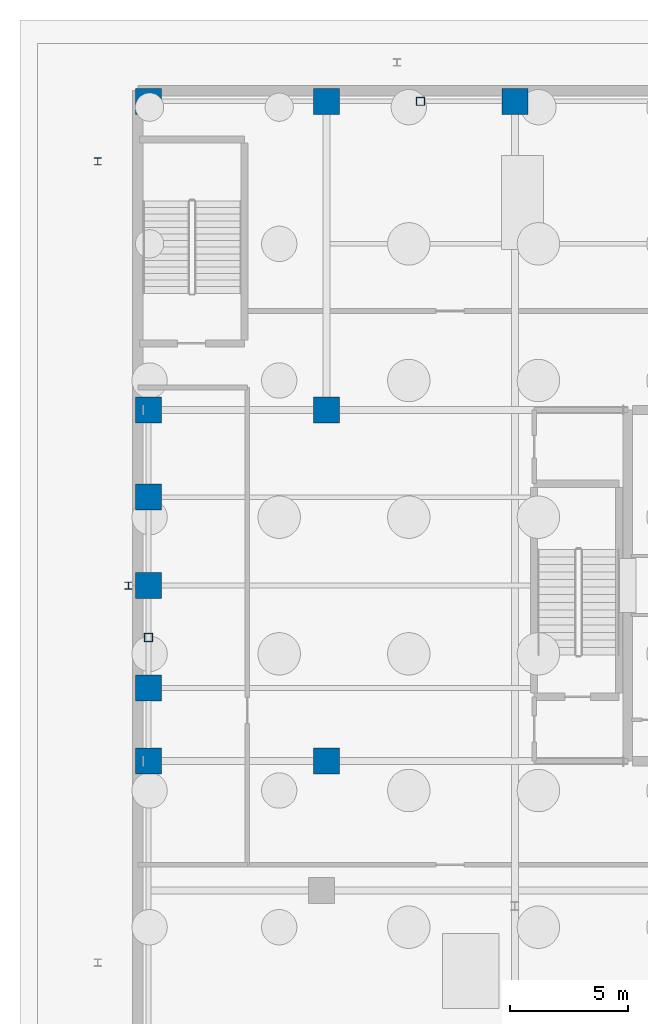
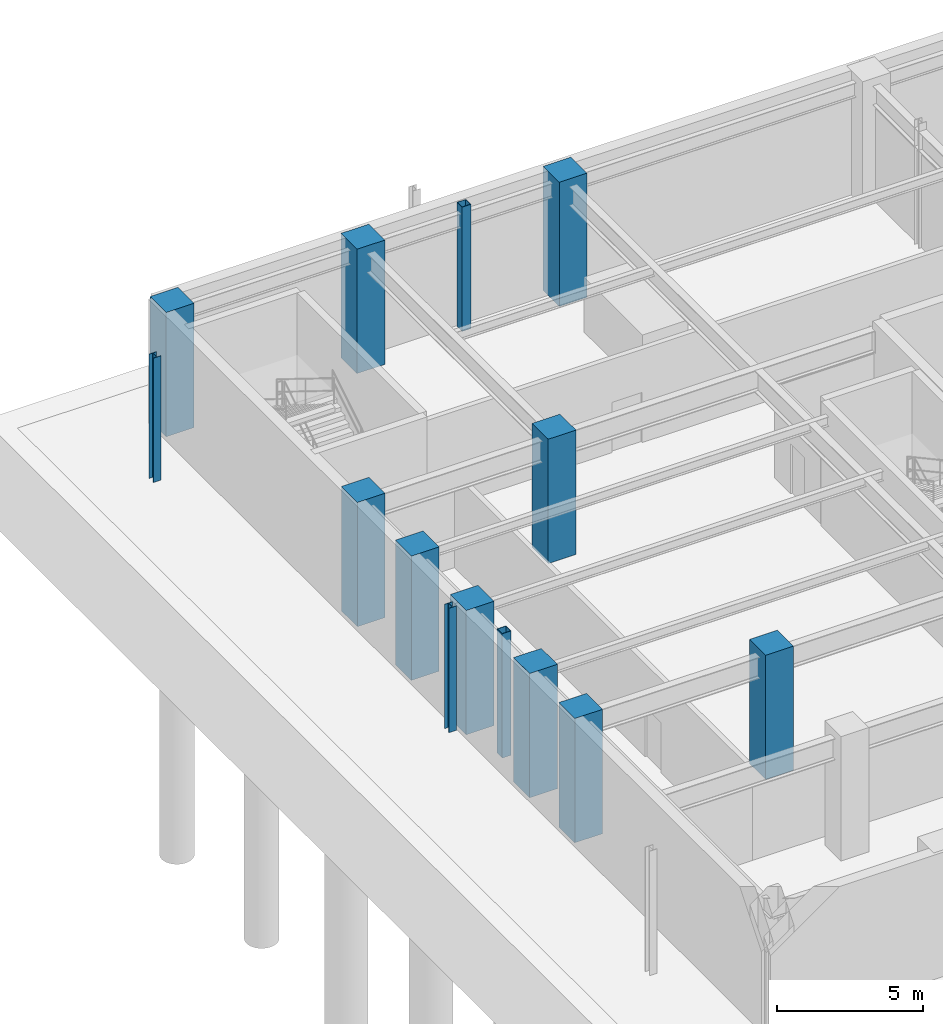
# One storey, part 4 of 18: 14 columns.
"""IFC4 building model written with IfcOpenShell, lengths in metres."""

from ifc_helpers import new_model, si_unit, direction, frame, origin, origin_2d, place, context, subcontext, project, spatial, rectangle, hollow_rectangle, i_section, extrude, material, material_profile, profile_set, type_object, element, save


model = new_model("IFC4")

# Units and contexts
model_context = context("Model", 3, precision=1e-05, world=origin(), true_north=direction((0.0, 1.0)))
body_context = subcontext(model_context, "Body", "Model", "MODEL_VIEW")
ifc_project = project(units=[si_unit("LENGTHUNIT", "METRE"), si_unit("AREAUNIT", "SQUARE_METRE"), si_unit("VOLUMEUNIT", "CUBIC_METRE"), si_unit("PLANEANGLEUNIT", "RADIAN"), si_unit("MASSUNIT", "GRAM", prefix="KILO")], contexts=[model_context])

# Site, building, storey
site_placement = place(None, origin())
site = spatial("IfcSite", under=ifc_project, at=site_placement, CompositionType="ELEMENT")
building_placement = place(site_placement, origin())
building = spatial("IfcBuilding", under=site, at=building_placement, Name="Veldorina Hangang Commons", CompositionType="ELEMENT")
storey_placement = place(building_placement, frame((0.0, 0.0, -10.39990234375)))
storey = spatial("IfcBuildingStorey", under=building, at=storey_placement, Name="B02", CompositionType="ELEMENT", Elevation=-10.39990234375)

# Columns
ifc_material_1 = material(Name="Steel SM355-TMC", Category="steel")
ifc_material_profile_1 = material_profile(ifc_material_1, i_section(OverallWidth=0.300048828125, OverallDepth=0.300048828125, WebThickness=0.010009765625, FlangeThickness=0.014892578125, FilletRadius=0.012939453125, at=origin_2d()), Name="H-300x300x10x15")
ifc_profile_set_1 = profile_set([ifc_material_profile_1], Name="Steel SM355-TMC")
column_type_1 = type_object("IfcColumnType", Name="COL-H300", PredefinedType="COLUMN", material=ifc_profile_set_1)
for number, where, z_axis, x_axis, name in (
    (1, (2.300048828125, 42.0, 0.0), (0.0, 0.0, 1.0), (1.0, 0.0, 0.0), "B02 walkway support pier WEST2"),
    (2, (3.60009765625, 24.0, 0.0), (0.0, 0.0, 1.0), (1.0, 0.0, 0.0), "B02 walkway support pier WEST3"),
):
    element("IfcColumn", number, at=place(storey_placement, frame(where, z_axis=z_axis, x_axis=x_axis)), inside=storey, type_object=column_type_1, Name=name, PredefinedType="COLUMN", context=body_context, shape_type="SweptSolid", body=[
        extrude(i_section(OverallWidth=0.300048828125, OverallDepth=0.300048828125, WebThickness=0.010009765625, FlangeThickness=0.014892578125, FilletRadius=0.012939453125, at=origin_2d()), origin(), (0.0, 0.0, 1.0), 5.199951171875),
    ])
ifc_material_profile_2 = material_profile(ifc_material_1, hollow_rectangle(XDim=0.35009765625, YDim=0.35009765625, WallThickness=0.01611328125, at=origin_2d()), Name="SHS-350x350x16")
ifc_profile_set_2 = profile_set([ifc_material_profile_2], Name="Steel SM355-TMC")
column_type_2 = type_object("IfcColumnType", Name="COL-PIL-350", PredefinedType="PILASTER", material=ifc_profile_set_2)
for number, where, z_axis, x_axis, name in (
    (3, (16.0, 44.550048828125, 0.0), (0.0, 0.0, 1.0), (1.0, 0.0, 0.0), "B02 rationalist colonnade pilaster 1"),
    (4, (4.449951171875, 21.800048828125, 0.0), (0.0, 0.0, 1.0), (1.0, 0.0, 0.0), "B02 rationalist colonnade pilaster 3"),
):
    element("IfcColumn", number, at=place(storey_placement, frame(where, z_axis=z_axis, x_axis=x_axis)), inside=storey, type_object=column_type_2, Name=name, PredefinedType="PILASTER", context=body_context, shape_type="SweptSolid", body=[
        extrude(hollow_rectangle(XDim=0.35009765625, YDim=0.35009765625, WallThickness=0.01611328125, at=origin_2d()), origin(), (0.0, 0.0, 1.0), 5.199951171875),
    ])
ifc_material_2 = material(Name="Concrete C60/75", Category="concrete")
ifc_material_profile_3 = material_profile(ifc_material_2, rectangle(XDim=1.10009765625, YDim=1.10009765625, at=origin_2d()), Name="RC-COL-1100x1100")
ifc_profile_set_3 = profile_set([ifc_material_profile_3], Name="Concrete C60/75")
column_type_3 = type_object("IfcColumnType", Name="COL-RC1100", PredefinedType="COLUMN", material=ifc_profile_set_3)
for number, where, z_axis, x_axis, name in (
    (5, (4.449951171875, 44.550048828125, 0.0), (0.0, 0.0, 1.0), (1.0, 0.0, 0.0), "B02 structural column N1"),
    (6, (12.0, 44.550048828125, 0.0), (0.0, 0.0, 1.0), (1.0, 0.0, 0.0), "B02 structural column N2"),
    (7, (20.0, 44.550048828125, 0.0), (0.0, 0.0, 1.0), (1.0, 0.0, 0.0), "B02 structural column N3"),
    (8, (4.449951171875, 16.550048828125, 0.0), (0.0, 0.0, 1.0), (1.0, 0.0, 0.0), "B02 structural column W1"),
    (9, (4.449951171875, 19.64990234375, 0.0), (0.0, 0.0, 1.0), (1.0, 0.0, 0.0), "B02 structural column W2"),
    (10, (4.449951171875, 24.0, 0.0), (0.0, 0.0, 1.0), (1.0, 0.0, 0.0), "B02 structural column W3"),
    (11, (4.449951171875, 27.75, 0.0), (0.0, 0.0, 1.0), (1.0, 0.0, 0.0), "B02 structural column W4"),
    (12, (4.449951171875, 31.449951171875, 0.0), (0.0, 0.0, 1.0), (1.0, 0.0, 0.0), "B02 structural column W5"),
    (13, (12.0, 16.550048828125, 0.0), (0.0, 0.0, 1.0), (1.0, 0.0, 0.0), "B02 structural column BM1"),
    (14, (12.0, 31.449951171875, 0.0), (0.0, 0.0, 1.0), (1.0, 0.0, 0.0), "B02 structural column BM2"),
):
    element("IfcColumn", number, at=place(storey_placement, frame(where, z_axis=z_axis, x_axis=x_axis)), inside=storey, type_object=column_type_3, Name=name, PredefinedType="COLUMN", context=body_context, shape_type="SweptSolid", body=[
        extrude(rectangle(XDim=1.10009765625, YDim=1.10009765625, at=origin_2d()), origin(), (0.0, 0.0, 1.0), 5.199951171875),
    ])

save(model, "model.ifc")
